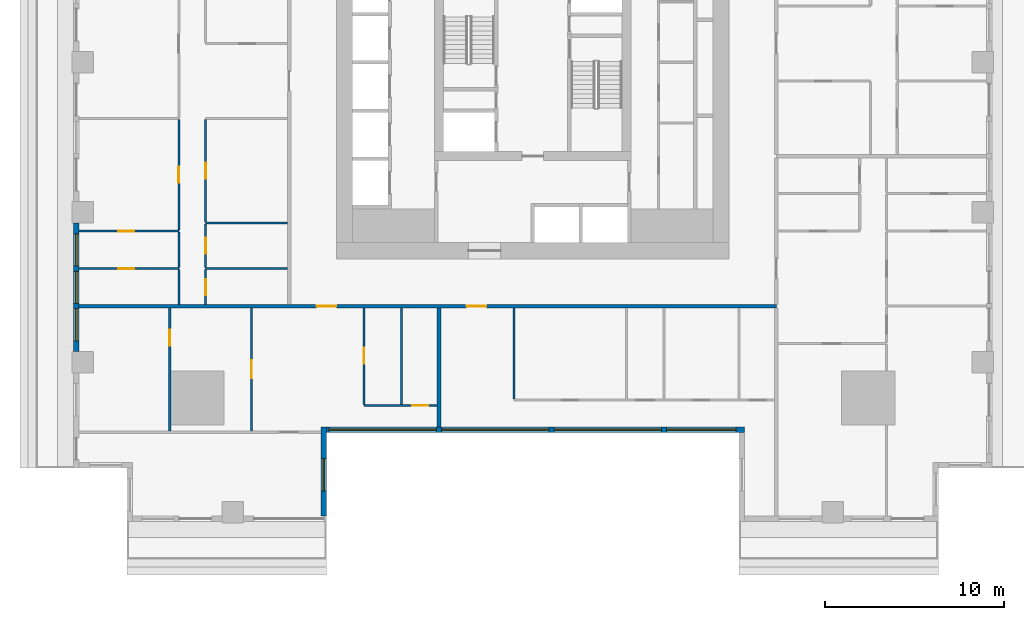
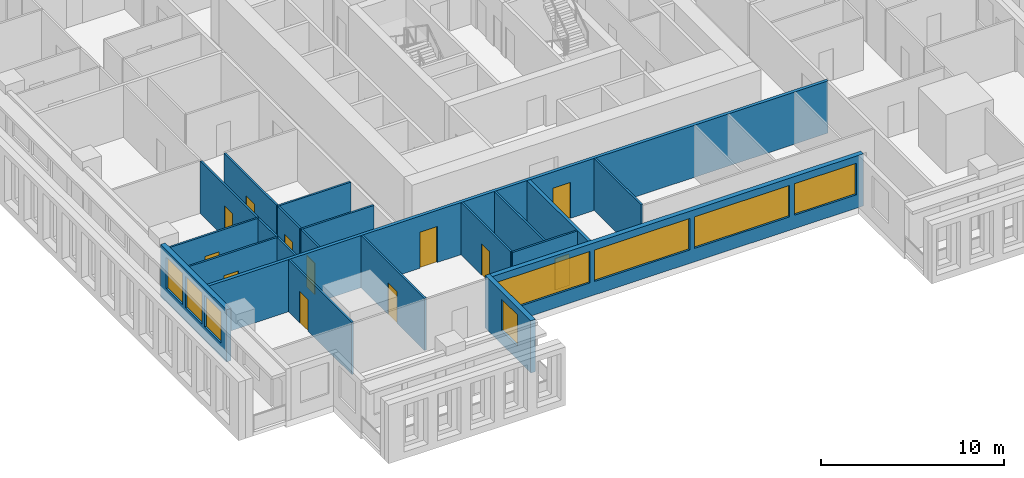
# One storey, part 2 of 14: 21 walls, 12 doors, 8 windows, 20 openings.
"""IFC4 building model written with IfcOpenShell, lengths in metres."""

from ifc_helpers import new_model, si_unit, direction, frame, frame_2d, origin, place, context, subcontext, project, spatial, rectangle, extrude, material, layer, layer_set, type_object, element, fill, save


model = new_model("IFC4")

# Units and contexts
model_context = context("Model", 3, precision=1e-05, world=origin(), true_north=direction((0.0, 1.0)))
body_context = subcontext(model_context, "Body", "Model", "MODEL_VIEW")
ifc_project = project(units=[si_unit("LENGTHUNIT", "METRE"), si_unit("AREAUNIT", "SQUARE_METRE"), si_unit("VOLUMEUNIT", "CUBIC_METRE"), si_unit("PLANEANGLEUNIT", "RADIAN"), si_unit("MASSUNIT", "GRAM", prefix="KILO")], contexts=[model_context])

# Site, building, storey
site_placement = place(None, origin())
site = spatial("IfcSite", under=ifc_project, at=site_placement, CompositionType="ELEMENT")
building_placement = place(site_placement, origin())
building = spatial("IfcBuilding", under=site, at=building_placement, Name="Khepri Terraces", CompositionType="ELEMENT")
storey_placement = place(building_placement, frame((0.0, 0.0, 62.10009765625)))
storey = spatial("IfcBuildingStorey", under=building, at=storey_placement, Name="L14", CompositionType="ELEMENT", Elevation=62.10009765625)

# Wall
ifc_material_1 = material(Name="Fire-rated gypsum plasterboard partition, mineral wool")
ifc_layer_1 = layer(ifc_material_1, 0.199951171875, Name="Fire-rated gypsum plasterboard partition, mineral wool")
ifc_layer_set_1 = layer_set([ifc_layer_1], Name="Fire-rated gypsum plasterboard partition, mineral wool")
wall_type_1 = type_object("IfcWallType", Name="WL-CORR-200", PredefinedType="PARTITIONING", material=ifc_layer_set_1)
wall_1_placement = place(storey_placement, frame((-5.25, -20.419921875, 0.0), z_axis=(0.0, 0.0, 1.0), x_axis=(0.0, 1.0, 0.0)))
element("IfcWall", 1, at=wall_1_placement, inside=storey, type_object=wall_type_1, Name="Partition P-004 L14", PredefinedType="PARTITIONING", context=body_context, shape_type="SweptSolid", body=[
    extrude(rectangle(XDim=6.669921875, YDim=0.199951171875, at=frame_2d((3.3349609375, 0.0))), origin(), (0.0, 0.0, 1.0), 3.47998046875),
])

# Wall, openings, doors
wall_2_placement = place(storey_placement, frame((-25.419921875, -13.64990234375, 0.0), z_axis=(0.0, 0.0, 1.0), x_axis=(1.0, 0.0, 0.0)))
wall_2 = element("IfcWall", 2, at=wall_2_placement, inside=storey, type_object=wall_type_1, Name="Partition P-018 L14", PredefinedType="PARTITIONING", context=body_context, shape_type="SweptSolid", body=[
    extrude(rectangle(XDim=39.06982421875, YDim=0.199951171875, at=frame_2d((19.534912109375, 0.0))), origin(), (0.0, 0.0, 1.0), 3.47998046875),
])
opening_1_placement = place(wall_2_placement, frame((13.320068359375, 0.0, 0.0)))
opening_1 = element("IfcOpeningElement", 3, at=opening_1_placement, cuts=wall_2, Name="Opening D1", PredefinedType="OPENING", context=body_context, shape_type="SweptSolid", body=[
    extrude(rectangle(XDim=1.10009765625, YDim=2.39990234375, at=frame_2d((0.550048828125, 1.199951171875))), frame((0.0, 0.10986328125, 0.0), z_axis=(0.0, -1.0, 0.0), x_axis=(1.0, 0.0, 0.0)), (0.0, 0.0, 1.0), 0.219970703125),
])
opening_2_placement = place(wall_2_placement, frame((21.719970703125, 0.0, 0.0)))
opening_2 = element("IfcOpeningElement", 4, at=opening_2_placement, cuts=wall_2, Name="Opening D1", PredefinedType="OPENING", context=body_context, shape_type="SweptSolid", body=[
    extrude(rectangle(XDim=1.10009765625, YDim=2.39990234375, at=frame_2d((0.550048828125, 1.199951171875))), frame((0.0, 0.10986328125, 0.0), z_axis=(0.0, -1.0, 0.0), x_axis=(1.0, 0.0, 0.0)), (0.0, 0.0, 1.0), 0.219970703125),
])
ifc_material_2 = material(Name="Solid-core timber door leaf, flat entrance door", Category="wood")
door_type_1 = type_object("IfcDoorType", Name="DR-ENT-1100", OperationType="NOTDEFINED", PredefinedType="DOOR", material=ifc_material_2)
door_1_placement = place(opening_1_placement, frame((1.10009765625, 0.0, 0.0), z_axis=(0.0, 0.0, 1.0), x_axis=(-1.0, 0.0, 0.0)))
door_1 = element("IfcDoor", 5, at=door_1_placement, inside=storey, type_object=door_type_1, Name="Flat A1 entrance door", OperationType="SINGLE_SWING_RIGHT", OverallHeight=2.39990234375, OverallWidth=1.10009765625, PredefinedType="DOOR", context=body_context, shape_type="SweptSolid", body=[
    extrude(rectangle(XDim=1.10009765625, YDim=2.39990234375, at=frame_2d((0.550048828125, 1.199951171875))), frame((0.0, 0.02490234375, 0.0), z_axis=(0.0, -1.0, 0.0), x_axis=(1.0, 0.0, 0.0)), (0.0, 0.0, 1.0), 0.050048828125),
])
fill(opening_1, door_1)
door_2_placement = place(opening_2_placement, frame((1.10009765625, 0.0, 0.0), z_axis=(0.0, 0.0, 1.0), x_axis=(-1.0, 0.0, 0.0)))
door_2 = element("IfcDoor", 6, at=door_2_placement, inside=storey, type_object=door_type_1, Name="Flat A2 entrance door", OperationType="SINGLE_SWING_LEFT", OverallHeight=2.39990234375, OverallWidth=1.10009765625, PredefinedType="DOOR", context=body_context, shape_type="SweptSolid", body=[
    extrude(rectangle(XDim=1.10009765625, YDim=2.39990234375, at=frame_2d((0.550048828125, 1.199951171875))), frame((0.0, 0.02490234375, 0.0), z_axis=(0.0, -1.0, 0.0), x_axis=(1.0, 0.0, 0.0)), (0.0, 0.0, 1.0), 0.050048828125),
])
fill(opening_2, door_2)

# Wall, openings, windows
ifc_material_3 = material(Name="Precast concrete C50/60 warm stone", Category="masonry")
ifc_layer_2 = layer(ifc_material_3, 0.300048828125, Name="Precast concrete C50/60 warm stone", Category="masonry")
ifc_layer_set_2 = layer_set([ifc_layer_2], Name="Precast concrete C50/60 warm stone")
wall_type_2 = type_object("IfcWallType", Name="WL-EXT-PRECAST-300", PredefinedType="STANDARD", material=ifc_layer_set_2)
wall_3_placement = place(storey_placement, frame((-25.570068359375, -9.0, 0.0), z_axis=(0.0, 0.0, 1.0), x_axis=(0.0, -1.0, 0.0)))
wall_3 = element("IfcWall", 7, at=wall_3_placement, inside=storey, type_object=wall_type_2, Name="External wall L14 W", PredefinedType="STANDARD", context=body_context, shape_type="SweptSolid", body=[
    extrude(rectangle(XDim=7.199951171875, YDim=0.300048828125, at=frame_2d((3.60009765625, 0.0))), origin(), (0.0, 0.0, 1.0), 3.47998046875),
])
opening_3_placement = place(wall_3_placement, frame((0.60009765625, 0.0, 0.89990234375)))
opening_3 = element("IfcOpeningElement", 8, at=opening_3_placement, cuts=wall_3, Name="Opening W1", PredefinedType="OPENING", context=body_context, shape_type="SweptSolid", body=[
    extrude(rectangle(XDim=1.800048828125, YDim=2.10009765625, at=frame_2d((0.89990234375, 1.050048828125))), frame((0.0, 0.16015625, 0.0), z_axis=(0.0, -1.0, 0.0), x_axis=(1.0, 0.0, 0.0)), (0.0, 0.0, 1.0), 0.320068359375),
])
opening_4_placement = place(wall_3_placement, frame((2.699951171875, 0.0, 0.89990234375)))
opening_4 = element("IfcOpeningElement", 9, at=opening_4_placement, cuts=wall_3, Name="Opening W1", PredefinedType="OPENING", context=body_context, shape_type="SweptSolid", body=[
    extrude(rectangle(XDim=1.800048828125, YDim=2.10009765625, at=frame_2d((0.89990234375, 1.050048828125))), frame((0.0, 0.16015625, 0.0), z_axis=(0.0, -1.0, 0.0), x_axis=(1.0, 0.0, 0.0)), (0.0, 0.0, 1.0), 0.320068359375),
])
opening_5_placement = place(wall_3_placement, frame((4.800048828125, 0.0, 0.89990234375)))
opening_5 = element("IfcOpeningElement", 10, at=opening_5_placement, cuts=wall_3, Name="Opening W1", PredefinedType="OPENING", context=body_context, shape_type="SweptSolid", body=[
    extrude(rectangle(XDim=1.800048828125, YDim=2.10009765625, at=frame_2d((0.89990234375, 1.050048828125))), frame((0.0, 0.16015625, 0.0), z_axis=(0.0, -1.0, 0.0), x_axis=(1.0, 0.0, 0.0)), (0.0, 0.0, 1.0), 0.320068359375),
])
ifc_material_4 = material(Name="Clear glass", Category="glass")
window_type_1 = type_object("IfcWindowType", Name="WIN-RES-1800x2100", PartitioningType="SINGLE_PANEL", PredefinedType="WINDOW", material=ifc_material_4)
window_1_placement = place(opening_3_placement, origin())
window_1 = element("IfcWindow", 11, at=window_1_placement, inside=storey, type_object=window_type_1, Name="Window L14 W", OverallHeight=2.10009765625, OverallWidth=1.800048828125, PartitioningType="SINGLE_PANEL", PredefinedType="WINDOW", context=body_context, shape_type="SweptSolid", body=[
    extrude(rectangle(XDim=1.800048828125, YDim=2.10009765625, at=frame_2d((0.89990234375, 1.050048828125))), frame((0.0, 0.030029296875, 0.0), z_axis=(0.0, -1.0, 0.0), x_axis=(1.0, 0.0, 0.0)), (0.0, 0.0, 1.0), 0.06005859375),
])
fill(opening_3, window_1)
window_2_placement = place(opening_4_placement, origin())
window_2 = element("IfcWindow", 12, at=window_2_placement, inside=storey, type_object=window_type_1, Name="Window L14 W", OverallHeight=2.10009765625, OverallWidth=1.800048828125, PartitioningType="SINGLE_PANEL", PredefinedType="WINDOW", context=body_context, shape_type="SweptSolid", body=[
    extrude(rectangle(XDim=1.800048828125, YDim=2.10009765625, at=frame_2d((0.89990234375, 1.050048828125))), frame((0.0, 0.030029296875, 0.0), z_axis=(0.0, -1.0, 0.0), x_axis=(1.0, 0.0, 0.0)), (0.0, 0.0, 1.0), 0.06005859375),
])
fill(opening_4, window_2)
window_3_placement = place(opening_5_placement, origin())
window_3 = element("IfcWindow", 13, at=window_3_placement, inside=storey, type_object=window_type_1, Name="Window L14 W", OverallHeight=2.10009765625, OverallWidth=1.800048828125, PartitioningType="SINGLE_PANEL", PredefinedType="WINDOW", context=body_context, shape_type="SweptSolid", body=[
    extrude(rectangle(XDim=1.800048828125, YDim=2.10009765625, at=frame_2d((0.89990234375, 1.050048828125))), frame((0.0, 0.030029296875, 0.0), z_axis=(0.0, -1.0, 0.0), x_axis=(1.0, 0.0, 0.0)), (0.0, 0.0, 1.0), 0.06005859375),
])
fill(opening_5, window_3)

# Wall, opening, window
wall_4_placement = place(storey_placement, frame((-11.699951171875, -25.419921875, 0.0), z_axis=(0.0, 0.0, 1.0), x_axis=(0.0, 1.0, 0.0)))
wall_4 = element("IfcWall", 14, at=wall_4_placement, inside=storey, type_object=wall_type_2, Name="External wall L14 E", PredefinedType="STANDARD", context=body_context, shape_type="SweptSolid", body=[
    extrude(rectangle(XDim=5.0, YDim=0.300048828125, at=frame_2d((2.5, 0.0))), origin(), (0.0, 0.0, 1.0), 3.47998046875),
])
opening_6_placement = place(wall_4_placement, frame((1.419921875, 0.0, 0.89990234375)))
opening_6 = element("IfcOpeningElement", 15, at=opening_6_placement, cuts=wall_4, Name="Opening W1", PredefinedType="OPENING", context=body_context, shape_type="SweptSolid", body=[
    extrude(rectangle(XDim=1.800048828125, YDim=2.10009765625, at=frame_2d((0.89990234375, 1.050048828125))), frame((0.0, 0.16015625, 0.0), z_axis=(0.0, -1.0, 0.0), x_axis=(1.0, 0.0, 0.0)), (0.0, 0.0, 1.0), 0.320068359375),
])
window_4_placement = place(opening_6_placement, origin())
window_4 = element("IfcWindow", 16, at=window_4_placement, inside=storey, type_object=window_type_1, Name="Window L14 E", OverallHeight=2.10009765625, OverallWidth=1.800048828125, PartitioningType="SINGLE_PANEL", PredefinedType="WINDOW", context=body_context, shape_type="SweptSolid", body=[
    extrude(rectangle(XDim=1.800048828125, YDim=2.10009765625, at=frame_2d((0.89990234375, 1.050048828125))), frame((0.0, 0.030029296875, 0.0), z_axis=(0.0, -1.0, 0.0), x_axis=(1.0, 0.0, 0.0)), (0.0, 0.0, 1.0), 0.06005859375),
])
fill(opening_6, window_4)

# Wall, openings, windows
wall_5_placement = place(storey_placement, frame((-11.550048828125, -20.570068359375, 0.0), z_axis=(0.0, 0.0, 1.0), x_axis=(1.0, 0.0, 0.0)))
wall_5 = element("IfcWall", 17, at=wall_5_placement, inside=storey, type_object=wall_type_2, Name="External wall L14 S", PredefinedType="STANDARD", context=body_context, shape_type="SweptSolid", body=[
    extrude(rectangle(XDim=23.400146484375, YDim=0.300048828125, at=frame_2d((11.7001953125, 0.0))), origin(), (0.0, 0.0, 1.0), 3.47998046875),
])
opening_7_placement = place(wall_5_placement, frame((0.14990234375, 0.0, 0.89990234375)))
opening_7 = element("IfcOpeningElement", 18, at=opening_7_placement, cuts=wall_5, Name="Opening W3", PredefinedType="OPENING", context=body_context, shape_type="SweptSolid", body=[
    extrude(rectangle(XDim=6.0, YDim=2.10009765625, at=frame_2d((3.0, 1.050048828125))), frame((0.0, 0.16015625, 0.0), z_axis=(0.0, -1.0, 0.0), x_axis=(1.0, 0.0, 0.0)), (0.0, 0.0, 1.0), 0.320068359375),
])
opening_8_placement = place(wall_5_placement, frame((6.449951171875, 0.0, 0.89990234375)))
opening_8 = element("IfcOpeningElement", 19, at=opening_8_placement, cuts=wall_5, Name="Opening W3", PredefinedType="OPENING", context=body_context, shape_type="SweptSolid", body=[
    extrude(rectangle(XDim=6.0, YDim=2.10009765625, at=frame_2d((3.0, 1.050048828125))), frame((0.0, 0.16015625, 0.0), z_axis=(0.0, -1.0, 0.0), x_axis=(1.0, 0.0, 0.0)), (0.0, 0.0, 1.0), 0.320068359375),
])
opening_9_placement = place(wall_5_placement, frame((12.75, 0.0, 0.89990234375)))
opening_9 = element("IfcOpeningElement", 20, at=opening_9_placement, cuts=wall_5, Name="Opening W3", PredefinedType="OPENING", context=body_context, shape_type="SweptSolid", body=[
    extrude(rectangle(XDim=6.0, YDim=2.10009765625, at=frame_2d((3.0, 1.050048828125))), frame((0.0, 0.16015625, 0.0), z_axis=(0.0, -1.0, 0.0), x_axis=(1.0, 0.0, 0.0)), (0.0, 0.0, 1.0), 0.320068359375),
])
opening_10_placement = place(wall_5_placement, frame((19.050048828125, 0.0, 0.89990234375)))
opening_10 = element("IfcOpeningElement", 21, at=opening_10_placement, cuts=wall_5, Name="Opening W2", PredefinedType="OPENING", context=body_context, shape_type="SweptSolid", body=[
    extrude(rectangle(XDim=3.89990234375, YDim=2.10009765625, at=frame_2d((1.949951171875, 1.050048828125))), frame((0.0, 0.16015625, 0.0), z_axis=(0.0, -1.0, 0.0), x_axis=(1.0, 0.0, 0.0)), (0.0, 0.0, 1.0), 0.320068359375),
])
window_type_2 = type_object("IfcWindowType", Name="WIN-RES-3900x2100", PartitioningType="SINGLE_PANEL", PredefinedType="WINDOW", material=ifc_material_4)
window_5_placement = place(opening_10_placement, origin())
window_5 = element("IfcWindow", 22, at=window_5_placement, inside=storey, type_object=window_type_2, Name="Window L14 S", OverallHeight=2.10009765625, OverallWidth=3.89990234375, PartitioningType="SINGLE_PANEL", PredefinedType="WINDOW", context=body_context, shape_type="SweptSolid", body=[
    extrude(rectangle(XDim=3.89990234375, YDim=2.10009765625, at=frame_2d((1.949951171875, 1.050048828125))), frame((0.0, 0.030029296875, 0.0), z_axis=(0.0, -1.0, 0.0), x_axis=(1.0, 0.0, 0.0)), (0.0, 0.0, 1.0), 0.06005859375),
])
fill(opening_10, window_5)
window_type_3 = type_object("IfcWindowType", Name="WIN-RES-6000x2100", PartitioningType="SINGLE_PANEL", PredefinedType="WINDOW", material=ifc_material_4)
window_6_placement = place(opening_7_placement, origin())
window_6 = element("IfcWindow", 23, at=window_6_placement, inside=storey, type_object=window_type_3, Name="Window L14 S", OverallHeight=2.10009765625, OverallWidth=6.0, PartitioningType="SINGLE_PANEL", PredefinedType="WINDOW", context=body_context, shape_type="SweptSolid", body=[
    extrude(rectangle(XDim=6.0, YDim=2.10009765625, at=frame_2d((3.0, 1.050048828125))), frame((0.0, 0.030029296875, 0.0), z_axis=(0.0, -1.0, 0.0), x_axis=(1.0, 0.0, 0.0)), (0.0, 0.0, 1.0), 0.06005859375),
])
fill(opening_7, window_6)
window_7_placement = place(opening_8_placement, origin())
window_7 = element("IfcWindow", 24, at=window_7_placement, inside=storey, type_object=window_type_3, Name="Window L14 S", OverallHeight=2.10009765625, OverallWidth=6.0, PartitioningType="SINGLE_PANEL", PredefinedType="WINDOW", context=body_context, shape_type="SweptSolid", body=[
    extrude(rectangle(XDim=6.0, YDim=2.10009765625, at=frame_2d((3.0, 1.050048828125))), frame((0.0, 0.030029296875, 0.0), z_axis=(0.0, -1.0, 0.0), x_axis=(1.0, 0.0, 0.0)), (0.0, 0.0, 1.0), 0.06005859375),
])
fill(opening_8, window_7)
window_8_placement = place(opening_9_placement, origin())
window_8 = element("IfcWindow", 25, at=window_8_placement, inside=storey, type_object=window_type_3, Name="Window L14 S", OverallHeight=2.10009765625, OverallWidth=6.0, PartitioningType="SINGLE_PANEL", PredefinedType="WINDOW", context=body_context, shape_type="SweptSolid", body=[
    extrude(rectangle(XDim=6.0, YDim=2.10009765625, at=frame_2d((3.0, 1.050048828125))), frame((0.0, 0.030029296875, 0.0), z_axis=(0.0, -1.0, 0.0), x_axis=(1.0, 0.0, 0.0)), (0.0, 0.0, 1.0), 0.06005859375),
])
fill(opening_9, window_8)

# Wall, opening, door
ifc_material_5 = material(Name="Gypsum plasterboard partition")
ifc_layer_3 = layer(ifc_material_5, 0.1201171875, Name="Gypsum plasterboard partition")
ifc_layer_set_3 = layer_set([ifc_layer_3], Name="Gypsum plasterboard partition")
wall_type_3 = type_object("IfcWallType", Name="WL-PART-120", PredefinedType="PARTITIONING", material=ifc_layer_set_3)
wall_6_placement = place(storey_placement, frame((-20.333984375, -20.659912109375, 0.0), z_axis=(0.0, 0.0, 1.0), x_axis=(0.0, 1.0, 0.0)))
wall_6 = element("IfcWall", 26, at=wall_6_placement, inside=storey, type_object=wall_type_3, Name="Partition P-005 L14", PredefinedType="PARTITIONING", context=body_context, shape_type="SweptSolid", body=[
    extrude(rectangle(XDim=6.909912109375, YDim=0.1201171875, at=frame_2d((3.455078125, 0.0))), origin(), (0.0, 0.0, 1.0), 3.47998046875),
])
opening_11_placement = place(wall_6_placement, frame((4.79248046875, 0.0, 0.0)))
opening_11 = element("IfcOpeningElement", 27, at=opening_11_placement, cuts=wall_6, Name="Opening D3", PredefinedType="OPENING", context=body_context, shape_type="SweptSolid", body=[
    extrude(rectangle(XDim=0.89990234375, YDim=2.10009765625, at=frame_2d((0.449951171875, 1.050048828125))), frame((0.0, 0.070068359375, 0.0), z_axis=(0.0, -1.0, 0.0), x_axis=(1.0, 0.0, 0.0)), (0.0, 0.0, 1.0), 0.14013671875),
])
ifc_material_6 = material(Name="Timber door leaf", Category="wood")
door_type_2 = type_object("IfcDoorType", Name="DR-INT-900", OperationType="NOTDEFINED", PredefinedType="DOOR", material=ifc_material_6)
door_3_placement = place(opening_11_placement, origin())
door_3 = element("IfcDoor", 28, at=door_3_placement, inside=storey, type_object=door_type_2, Name="Door Staff Bedroom", OperationType="SINGLE_SWING_RIGHT", OverallHeight=2.10009765625, OverallWidth=0.89990234375, PredefinedType="DOOR", context=body_context, shape_type="SweptSolid", body=[
    extrude(rectangle(XDim=0.89990234375, YDim=2.10009765625, at=frame_2d((0.449951171875, 1.050048828125))), frame((0.0, 0.02490234375, 0.0), z_axis=(0.0, -1.0, 0.0), x_axis=(1.0, 0.0, 0.0)), (0.0, 0.0, 1.0), 0.050048828125),
])
fill(opening_11, door_3)

wall_7_placement = place(storey_placement, frame((-15.75, -20.659912109375, 0.0), z_axis=(0.0, 0.0, 1.0), x_axis=(0.0, 1.0, 0.0)))
wall_7 = element("IfcWall", 29, at=wall_7_placement, inside=storey, type_object=wall_type_3, Name="Partition P-006 L14", PredefinedType="PARTITIONING", context=body_context, shape_type="SweptSolid", body=[
    extrude(rectangle(XDim=6.909912109375, YDim=0.1201171875, at=frame_2d((3.455078125, 0.0))), origin(), (0.0, 0.0, 1.0), 3.47998046875),
])
opening_12_placement = place(wall_7_placement, frame((2.97509765625, 0.0, 0.0)))
opening_12 = element("IfcOpeningElement", 30, at=opening_12_placement, cuts=wall_7, Name="Opening D2", PredefinedType="OPENING", context=body_context, shape_type="SweptSolid", body=[
    extrude(rectangle(XDim=1.0, YDim=2.10009765625, at=frame_2d((0.5, 1.050048828125))), frame((0.0, 0.070068359375, 0.0), z_axis=(0.0, -1.0, 0.0), x_axis=(1.0, 0.0, 0.0)), (0.0, 0.0, 1.0), 0.14013671875),
])
ifc_material_7 = material(Name="Timber door leaf, living room door", Category="wood")
door_type_3 = type_object("IfcDoorType", Name="DR-INT-1000", OperationType="NOTDEFINED", PredefinedType="DOOR", material=ifc_material_7)
door_4_placement = place(opening_12_placement, origin())
door_4 = element("IfcDoor", 31, at=door_4_placement, inside=storey, type_object=door_type_3, Name="Door Family Room", OperationType="SINGLE_SWING_RIGHT", OverallHeight=2.10009765625, OverallWidth=1.0, PredefinedType="DOOR", context=body_context, shape_type="SweptSolid", body=[
    extrude(rectangle(XDim=1.0, YDim=2.10009765625, at=frame_2d((0.5, 1.050048828125))), frame((0.0, 0.02490234375, 0.0), z_axis=(0.0, -1.0, 0.0), x_axis=(1.0, 0.0, 0.0)), (0.0, 0.0, 1.0), 0.050048828125),
])
fill(opening_12, door_4)

wall_8_placement = place(storey_placement, frame((-9.449951171875, -19.219970703125, 0.0), z_axis=(0.0, 0.0, 1.0), x_axis=(1.0, 0.0, 0.0)))
wall_8 = element("IfcWall", 32, at=wall_8_placement, inside=storey, type_object=wall_type_3, Name="Partition P-007 L14", PredefinedType="PARTITIONING", context=body_context, shape_type="SweptSolid", body=[
    extrude(rectangle(XDim=4.099853515625, YDim=0.1201171875, at=frame_2d((2.0498046875, 0.0))), origin(), (0.0, 0.0, 1.0), 3.47998046875),
])
opening_13_placement = place(wall_8_placement, frame((2.699951171875, 0.0, 0.0)))
opening_13 = element("IfcOpeningElement", 33, at=opening_13_placement, cuts=wall_8, Name="Opening D3", PredefinedType="OPENING", context=body_context, shape_type="SweptSolid", body=[
    extrude(rectangle(XDim=0.89990234375, YDim=2.10009765625, at=frame_2d((0.449951171875, 1.050048828125))), frame((0.0, 0.070068359375, 0.0), z_axis=(0.0, -1.0, 0.0), x_axis=(1.0, 0.0, 0.0)), (0.0, 0.0, 1.0), 0.14013671875),
])
door_5_placement = place(opening_13_placement, origin())
door_5 = element("IfcDoor", 34, at=door_5_placement, inside=storey, type_object=door_type_2, Name="Door Kitchen", OperationType="SINGLE_SWING_RIGHT", OverallHeight=2.10009765625, OverallWidth=0.89990234375, PredefinedType="DOOR", context=body_context, shape_type="SweptSolid", body=[
    extrude(rectangle(XDim=0.89990234375, YDim=2.10009765625, at=frame_2d((0.449951171875, 1.050048828125))), frame((0.0, 0.02490234375, 0.0), z_axis=(0.0, -1.0, 0.0), x_axis=(1.0, 0.0, 0.0)), (0.0, 0.0, 1.0), 0.050048828125),
])
fill(opening_13, door_5)

wall_9_placement = place(storey_placement, frame((-9.449951171875, -19.159912109375, 0.0), z_axis=(0.0, 0.0, 1.0), x_axis=(0.0, 1.0, 0.0)))
wall_9 = element("IfcWall", 35, at=wall_9_placement, inside=storey, type_object=wall_type_3, Name="Partition P-008 L14", PredefinedType="PARTITIONING", context=body_context, shape_type="SweptSolid", body=[
    extrude(rectangle(XDim=5.409912109375, YDim=0.1201171875, at=frame_2d((2.705078125, 0.0))), origin(), (0.0, 0.0, 1.0), 3.47998046875),
])
opening_14_placement = place(wall_9_placement, frame((2.27490234375, 0.0, 0.0)))
opening_14 = element("IfcOpeningElement", 36, at=opening_14_placement, cuts=wall_9, Name="Opening D4", PredefinedType="OPENING", context=body_context, shape_type="SweptSolid", body=[
    extrude(rectangle(XDim=0.89990234375, YDim=2.10009765625, at=frame_2d((0.449951171875, 1.050048828125))), frame((0.0, 0.070068359375, 0.0), z_axis=(0.0, -1.0, 0.0), x_axis=(1.0, 0.0, 0.0)), (0.0, 0.0, 1.0), 0.14013671875),
])
ifc_material_8 = material(Name="Timber door leaf, moisture resistant", Category="wood")
door_type_4 = type_object("IfcDoorType", Name="DR-WET-900", OperationType="NOTDEFINED", PredefinedType="DOOR", material=ifc_material_8)
door_6_placement = place(opening_14_placement, frame((0.89990234375, 0.0, 0.0), z_axis=(0.0, 0.0, 1.0), x_axis=(-1.0, 0.0, 0.0)))
door_6 = element("IfcDoor", 37, at=door_6_placement, inside=storey, type_object=door_type_4, Name="Door Guest Bathroom", OperationType="SINGLE_SWING_LEFT", OverallHeight=2.10009765625, OverallWidth=0.89990234375, PredefinedType="DOOR", context=body_context, shape_type="SweptSolid", body=[
    extrude(rectangle(XDim=0.89990234375, YDim=2.10009765625, at=frame_2d((0.449951171875, 1.050048828125))), frame((0.0, 0.02490234375, 0.0), z_axis=(0.0, -1.0, 0.0), x_axis=(1.0, 0.0, 0.0)), (0.0, 0.0, 1.0), 0.050048828125),
])
fill(opening_14, door_6)

# Walls
wall_10_placement = place(storey_placement, frame((-7.35009765625, -19.159912109375, 0.0), z_axis=(0.0, 0.0, 1.0), x_axis=(0.0, 1.0, 0.0)))
element("IfcWall", 38, at=wall_10_placement, inside=storey, type_object=wall_type_3, Name="Partition P-009 L14", PredefinedType="PARTITIONING", context=body_context, shape_type="SweptSolid", body=[
    extrude(rectangle(XDim=5.409912109375, YDim=0.1201171875, at=frame_2d((2.705078125, 0.0))), origin(), (0.0, 0.0, 1.0), 3.47998046875),
])
wall_11_placement = place(storey_placement, frame((-1.050048828125, -18.860107421875, 0.0), z_axis=(0.0, 0.0, 1.0), x_axis=(0.0, 1.0, 0.0)))
element("IfcWall", 39, at=wall_11_placement, inside=storey, type_object=wall_type_3, Name="Partition P-011 L14", PredefinedType="PARTITIONING", context=body_context, shape_type="SweptSolid", body=[
    extrude(rectangle(XDim=5.110107421875, YDim=0.1201171875, at=frame_2d((2.55517578125, 0.0))), origin(), (0.0, 0.0, 1.0), 3.47998046875),
])
wall_12_placement = place(storey_placement, frame((-19.820068359375, -13.550048828125, 0.0), z_axis=(0.0, 0.0, 1.0), x_axis=(0.0, 1.0, 0.0)))
element("IfcWall", 40, at=wall_12_placement, inside=storey, type_object=wall_type_3, Name="Partition P-021 L14", PredefinedType="PARTITIONING", context=body_context, shape_type="SweptSolid", body=[
    extrude(rectangle(XDim=1.93994140625, YDim=0.1201171875, at=frame_2d((0.969970703125, 0.0))), origin(), (0.0, 0.0, 1.0), 3.47998046875),
])

# Wall, opening, door
wall_13_placement = place(storey_placement, frame((-18.320068359375, -13.550048828125, 0.0), z_axis=(0.0, 0.0, 1.0), x_axis=(0.0, 1.0, 0.0)))
wall_13 = element("IfcWall", 41, at=wall_13_placement, inside=storey, type_object=wall_type_3, Name="Partition P-022 L14", PredefinedType="PARTITIONING", context=body_context, shape_type="SweptSolid", body=[
    extrude(rectangle(XDim=1.93994140625, YDim=0.1201171875, at=frame_2d((0.969970703125, 0.0))), origin(), (0.0, 0.0, 1.0), 3.47998046875),
])
opening_15_placement = place(wall_13_placement, frame((0.5, 0.0, 0.0)))
opening_15 = element("IfcOpeningElement", 42, at=opening_15_placement, cuts=wall_13, Name="Opening D3", PredefinedType="OPENING", context=body_context, shape_type="SweptSolid", body=[
    extrude(rectangle(XDim=0.89990234375, YDim=2.10009765625, at=frame_2d((0.449951171875, 1.050048828125))), frame((0.0, 0.070068359375, 0.0), z_axis=(0.0, -1.0, 0.0), x_axis=(1.0, 0.0, 0.0)), (0.0, 0.0, 1.0), 0.14013671875),
])
door_7_placement = place(opening_15_placement, frame((0.89990234375, 0.0, 0.0), z_axis=(0.0, 0.0, 1.0), x_axis=(-1.0, 0.0, 0.0)))
door_7 = element("IfcDoor", 43, at=door_7_placement, inside=storey, type_object=door_type_2, Name="Door Utility Room", OperationType="SINGLE_SWING_RIGHT", OverallHeight=2.10009765625, OverallWidth=0.89990234375, PredefinedType="DOOR", context=body_context, shape_type="SweptSolid", body=[
    extrude(rectangle(XDim=0.89990234375, YDim=2.10009765625, at=frame_2d((0.449951171875, 1.050048828125))), frame((0.0, 0.02490234375, 0.0), z_axis=(0.0, -1.0, 0.0), x_axis=(1.0, 0.0, 0.0)), (0.0, 0.0, 1.0), 0.050048828125),
])
fill(opening_15, door_7)

wall_14_placement = place(storey_placement, frame((-25.419921875, -11.550048828125, 0.0), z_axis=(0.0, 0.0, 1.0), x_axis=(1.0, 0.0, 0.0)))
wall_14 = element("IfcWall", 44, at=wall_14_placement, inside=storey, type_object=wall_type_3, Name="Partition P-025 L14", PredefinedType="PARTITIONING", context=body_context, shape_type="SweptSolid", body=[
    extrude(rectangle(XDim=5.599853515625, YDim=0.1201171875, at=frame_2d((2.7998046875, 0.0))), origin(), (0.0, 0.0, 1.0), 3.47998046875),
])
opening_16_placement = place(wall_14_placement, frame((2.199951171875, 0.0, 0.0)))
opening_16 = element("IfcOpeningElement", 45, at=opening_16_placement, cuts=wall_14, Name="Opening D4", PredefinedType="OPENING", context=body_context, shape_type="SweptSolid", body=[
    extrude(rectangle(XDim=0.89990234375, YDim=2.10009765625, at=frame_2d((0.449951171875, 1.050048828125))), frame((0.0, 0.070068359375, 0.0), z_axis=(0.0, -1.0, 0.0), x_axis=(1.0, 0.0, 0.0)), (0.0, 0.0, 1.0), 0.14013671875),
])
door_8_placement = place(opening_16_placement, frame((0.89990234375, 0.0, 0.0), z_axis=(0.0, 0.0, 1.0), x_axis=(-1.0, 0.0, 0.0)))
door_8 = element("IfcDoor", 46, at=door_8_placement, inside=storey, type_object=door_type_4, Name="Door Bathroom", OperationType="SINGLE_SWING_RIGHT", OverallHeight=2.10009765625, OverallWidth=0.89990234375, PredefinedType="DOOR", context=body_context, shape_type="SweptSolid", body=[
    extrude(rectangle(XDim=0.89990234375, YDim=2.10009765625, at=frame_2d((0.449951171875, 1.050048828125))), frame((0.0, 0.02490234375, 0.0), z_axis=(0.0, -1.0, 0.0), x_axis=(1.0, 0.0, 0.0)), (0.0, 0.0, 1.0), 0.050048828125),
])
fill(opening_16, door_8)

# Walls
wall_15_placement = place(storey_placement, frame((-18.320068359375, -11.550048828125, 0.0), z_axis=(0.0, 0.0, 1.0), x_axis=(1.0, 0.0, 0.0)))
element("IfcWall", 47, at=wall_15_placement, inside=storey, type_object=wall_type_3, Name="Partition P-026 L14", PredefinedType="PARTITIONING", context=body_context, shape_type="SweptSolid", body=[
    extrude(rectangle(XDim=4.570068359375, YDim=0.1201171875, at=frame_2d((2.28515625, 0.0))), origin(), (0.0, 0.0, 1.0), 3.47998046875),
])
wall_16_placement = place(storey_placement, frame((-19.820068359375, -11.489990234375, 0.0), z_axis=(0.0, 0.0, 1.0), x_axis=(0.0, 1.0, 0.0)))
element("IfcWall", 48, at=wall_16_placement, inside=storey, type_object=wall_type_3, Name="Partition P-027 L14", PredefinedType="PARTITIONING", context=body_context, shape_type="SweptSolid", body=[
    extrude(rectangle(XDim=1.97998046875, YDim=0.1201171875, at=frame_2d((0.989990234375, 0.0))), origin(), (0.0, 0.0, 1.0), 3.47998046875),
])

# Wall, opening, door
wall_17_placement = place(storey_placement, frame((-18.320068359375, -11.489990234375, 0.0), z_axis=(0.0, 0.0, 1.0), x_axis=(0.0, 1.0, 0.0)))
wall_17 = element("IfcWall", 49, at=wall_17_placement, inside=storey, type_object=wall_type_3, Name="Partition P-028 L14", PredefinedType="PARTITIONING", context=body_context, shape_type="SweptSolid", body=[
    extrude(rectangle(XDim=2.429931640625, YDim=0.1201171875, at=frame_2d((1.21484375, 0.0))), origin(), (0.0, 0.0, 1.0), 3.47998046875),
])
opening_17_placement = place(wall_17_placement, frame((0.764892578125, 0.0, 0.0)))
opening_17 = element("IfcOpeningElement", 50, at=opening_17_placement, cuts=wall_17, Name="Opening D4", PredefinedType="OPENING", context=body_context, shape_type="SweptSolid", body=[
    extrude(rectangle(XDim=0.89990234375, YDim=2.10009765625, at=frame_2d((0.449951171875, 1.050048828125))), frame((0.0, 0.070068359375, 0.0), z_axis=(0.0, -1.0, 0.0), x_axis=(1.0, 0.0, 0.0)), (0.0, 0.0, 1.0), 0.14013671875),
])
door_9_placement = place(opening_17_placement, frame((0.89990234375, 0.0, 0.0), z_axis=(0.0, 0.0, 1.0), x_axis=(-1.0, 0.0, 0.0)))
door_9 = element("IfcDoor", 51, at=door_9_placement, inside=storey, type_object=door_type_4, Name="Door Guest Bathroom", OperationType="SINGLE_SWING_LEFT", OverallHeight=2.10009765625, OverallWidth=0.89990234375, PredefinedType="DOOR", context=body_context, shape_type="SweptSolid", body=[
    extrude(rectangle(XDim=0.89990234375, YDim=2.10009765625, at=frame_2d((0.449951171875, 1.050048828125))), frame((0.0, 0.02490234375, 0.0), z_axis=(0.0, -1.0, 0.0), x_axis=(1.0, 0.0, 0.0)), (0.0, 0.0, 1.0), 0.050048828125),
])
fill(opening_17, door_9)

wall_18_placement = place(storey_placement, frame((-25.419921875, -9.449951171875, 0.0), z_axis=(0.0, 0.0, 1.0), x_axis=(1.0, 0.0, 0.0)))
wall_18 = element("IfcWall", 52, at=wall_18_placement, inside=storey, type_object=wall_type_3, Name="Partition P-029 L14", PredefinedType="PARTITIONING", context=body_context, shape_type="SweptSolid", body=[
    extrude(rectangle(XDim=5.599853515625, YDim=0.1201171875, at=frame_2d((2.7998046875, 0.0))), origin(), (0.0, 0.0, 1.0), 3.47998046875),
])
opening_18_placement = place(wall_18_placement, frame((2.199951171875, 0.0, 0.0)))
opening_18 = element("IfcOpeningElement", 53, at=opening_18_placement, cuts=wall_18, Name="Opening D3", PredefinedType="OPENING", context=body_context, shape_type="SweptSolid", body=[
    extrude(rectangle(XDim=0.89990234375, YDim=2.10009765625, at=frame_2d((0.449951171875, 1.050048828125))), frame((0.0, 0.070068359375, 0.0), z_axis=(0.0, -1.0, 0.0), x_axis=(1.0, 0.0, 0.0)), (0.0, 0.0, 1.0), 0.14013671875),
])
door_10_placement = place(opening_18_placement, frame((0.89990234375, 0.0, 0.0), z_axis=(0.0, 0.0, 1.0), x_axis=(-1.0, 0.0, 0.0)))
door_10 = element("IfcDoor", 54, at=door_10_placement, inside=storey, type_object=door_type_2, Name="Door Dressing Room", OperationType="SINGLE_SWING_RIGHT", OverallHeight=2.10009765625, OverallWidth=0.89990234375, PredefinedType="DOOR", context=body_context, shape_type="SweptSolid", body=[
    extrude(rectangle(XDim=0.89990234375, YDim=2.10009765625, at=frame_2d((0.449951171875, 1.050048828125))), frame((0.0, 0.02490234375, 0.0), z_axis=(0.0, -1.0, 0.0), x_axis=(1.0, 0.0, 0.0)), (0.0, 0.0, 1.0), 0.050048828125),
])
fill(opening_18, door_10)

wall_19_placement = place(storey_placement, frame((-19.820068359375, -9.389892578125, 0.0), z_axis=(0.0, 0.0, 1.0), x_axis=(0.0, 1.0, 0.0)))
wall_19 = element("IfcWall", 55, at=wall_19_placement, inside=storey, type_object=wall_type_3, Name="Partition P-032 L14", PredefinedType="PARTITIONING", context=body_context, shape_type="SweptSolid", body=[
    extrude(rectangle(XDim=6.179931640625, YDim=0.1201171875, at=frame_2d((3.08984375, 0.0))), origin(), (0.0, 0.0, 1.0), 3.47998046875),
])
opening_19_placement = place(wall_19_placement, frame((2.639892578125, 0.0, 0.0)))
opening_19 = element("IfcOpeningElement", 56, at=opening_19_placement, cuts=wall_19, Name="Opening D3", PredefinedType="OPENING", context=body_context, shape_type="SweptSolid", body=[
    extrude(rectangle(XDim=0.89990234375, YDim=2.10009765625, at=frame_2d((0.449951171875, 1.050048828125))), frame((0.0, 0.070068359375, 0.0), z_axis=(0.0, -1.0, 0.0), x_axis=(1.0, 0.0, 0.0)), (0.0, 0.0, 1.0), 0.14013671875),
])
door_11_placement = place(opening_19_placement, origin())
door_11 = element("IfcDoor", 57, at=door_11_placement, inside=storey, type_object=door_type_2, Name="Door Master Bedroom", OperationType="SINGLE_SWING_RIGHT", OverallHeight=2.10009765625, OverallWidth=0.89990234375, PredefinedType="DOOR", context=body_context, shape_type="SweptSolid", body=[
    extrude(rectangle(XDim=0.89990234375, YDim=2.10009765625, at=frame_2d((0.449951171875, 1.050048828125))), frame((0.0, 0.02490234375, 0.0), z_axis=(0.0, -1.0, 0.0), x_axis=(1.0, 0.0, 0.0)), (0.0, 0.0, 1.0), 0.050048828125),
])
fill(opening_19, door_11)

# Wall
wall_20_placement = place(storey_placement, frame((-18.320068359375, -9.0, 0.0), z_axis=(0.0, 0.0, 1.0), x_axis=(1.0, 0.0, 0.0)))
element("IfcWall", 58, at=wall_20_placement, inside=storey, type_object=wall_type_3, Name="Partition P-035 L14", PredefinedType="PARTITIONING", context=body_context, shape_type="SweptSolid", body=[
    extrude(rectangle(XDim=4.570068359375, YDim=0.1201171875, at=frame_2d((2.28515625, 0.0))), origin(), (0.0, 0.0, 1.0), 3.47998046875),
])

# Wall, opening, door
wall_21_placement = place(storey_placement, frame((-18.320068359375, -8.93994140625, 0.0), z_axis=(0.0, 0.0, 1.0), x_axis=(0.0, 1.0, 0.0)))
wall_21 = element("IfcWall", 59, at=wall_21_placement, inside=storey, type_object=wall_type_3, Name="Partition P-036 L14", PredefinedType="PARTITIONING", context=body_context, shape_type="SweptSolid", body=[
    extrude(rectangle(XDim=5.72998046875, YDim=0.1201171875, at=frame_2d((2.864990234375, 0.0))), origin(), (0.0, 0.0, 1.0), 3.47998046875),
])
opening_20_placement = place(wall_21_placement, frame((2.4150390625, 0.0, 0.0)))
opening_20 = element("IfcOpeningElement", 60, at=opening_20_placement, cuts=wall_21, Name="Opening D3", PredefinedType="OPENING", context=body_context, shape_type="SweptSolid", body=[
    extrude(rectangle(XDim=0.89990234375, YDim=2.10009765625, at=frame_2d((0.449951171875, 1.050048828125))), frame((0.0, 0.070068359375, 0.0), z_axis=(0.0, -1.0, 0.0), x_axis=(1.0, 0.0, 0.0)), (0.0, 0.0, 1.0), 0.14013671875),
])
door_12_placement = place(opening_20_placement, frame((0.89990234375, 0.0, 0.0), z_axis=(0.0, 0.0, 1.0), x_axis=(-1.0, 0.0, 0.0)))
door_12 = element("IfcDoor", 61, at=door_12_placement, inside=storey, type_object=door_type_2, Name="Door Kitchen", OperationType="SINGLE_SWING_RIGHT", OverallHeight=2.10009765625, OverallWidth=0.89990234375, PredefinedType="DOOR", context=body_context, shape_type="SweptSolid", body=[
    extrude(rectangle(XDim=0.89990234375, YDim=2.10009765625, at=frame_2d((0.449951171875, 1.050048828125))), frame((0.0, 0.02490234375, 0.0), z_axis=(0.0, -1.0, 0.0), x_axis=(1.0, 0.0, 0.0)), (0.0, 0.0, 1.0), 0.050048828125),
])
fill(opening_20, door_12)

save(model, "model.ifc")
